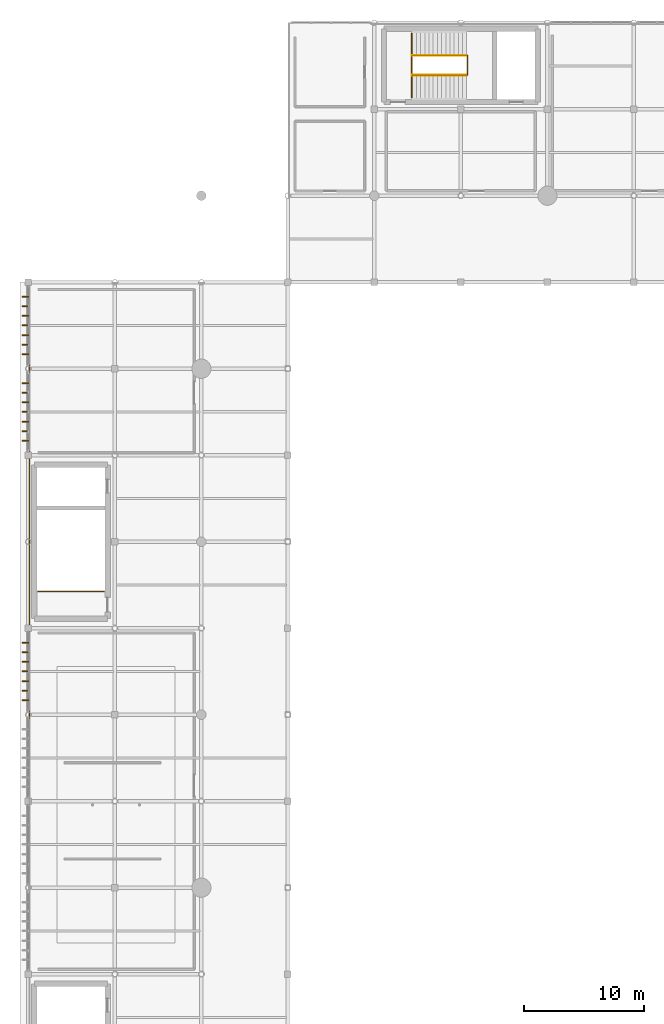
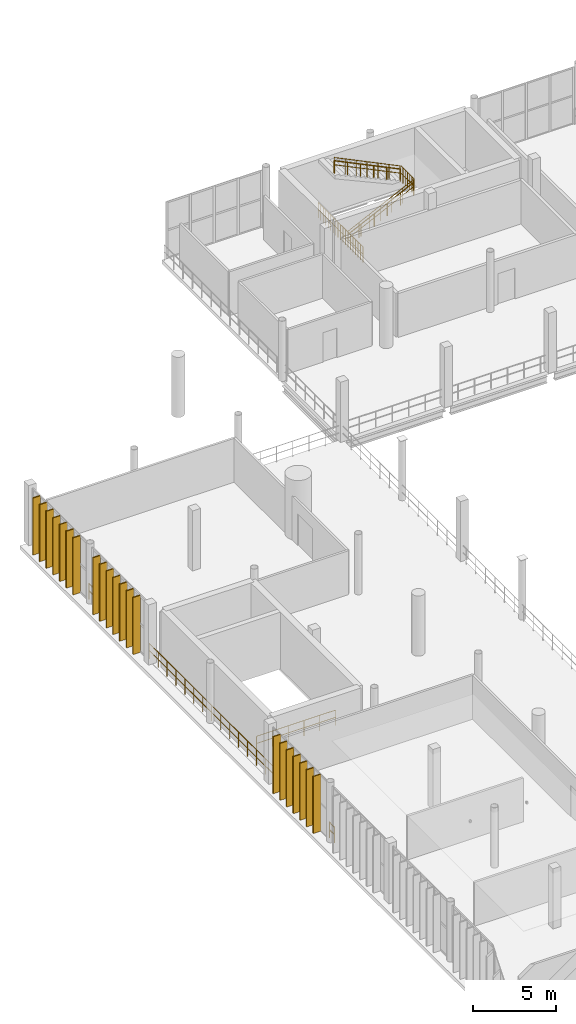
# One storey, part 75 of 81: 21 coverings, 10 railings.
"""IFC4 building model written with IfcOpenShell, lengths in metres."""

from ifc_helpers import new_model, si_unit, direction, frame, origin, origin_2d, place, context, subcontext, project, spatial, rectangle, circle, extrude, material, layer, layer_set, type_object, element, save


model = new_model("IFC4")

# Units and contexts
model_context = context("Model", 3, precision=1e-05, world=origin(), true_north=direction((0.0, 1.0)))
body_context = subcontext(model_context, "Body", "Model", "MODEL_VIEW")
ifc_project = project(units=[si_unit("LENGTHUNIT", "METRE"), si_unit("AREAUNIT", "SQUARE_METRE"), si_unit("VOLUMEUNIT", "CUBIC_METRE"), si_unit("PLANEANGLEUNIT", "RADIAN"), si_unit("MASSUNIT", "GRAM", prefix="KILO")], contexts=[model_context])

# Site, building, storey
site_placement = place(None, origin())
site = spatial("IfcSite", under=ifc_project, at=site_placement, CompositionType="ELEMENT")
building_placement = place(site_placement, origin())
building = spatial("IfcBuilding", under=site, at=building_placement, Name="Qandorah Velis Arena", CompositionType="ELEMENT")
storey_placement = place(building_placement, frame((0.0, 0.0, 18.60009765625)))
storey = spatial("IfcBuildingStorey", under=building, at=storey_placement, Name="L04", CompositionType="ELEMENT", Elevation=18.60009765625)

# Coverings
ifc_material_1 = material(Name="Champagne-bronze anodized aluminium 6063-T6", Category="aluminium")
ifc_layer = layer(ifc_material_1, 0.0849609375)
ifc_layer_set = layer_set([ifc_layer], Name="Champagne-bronze anodized aluminium 6063-T6")
covering_type = type_object("IfcCoveringType", Name="ARC-COV-FIN520", PredefinedType="CLADDING", material=ifc_layer_set)
for number, where, z_axis, x_axis, name in (
    (1, (-0.251953125, 73.199951171875, -0.010009765625), (0.0, 0.0, 1.0), (1.0, 0.0, 0.0), "Vertical champagne-bronze solar fin blade WNG-W-L04-10-001"),
    (2, (-0.251953125, 74.0, -0.010009765625), (0.0, 0.0, 1.0), (1.0, 0.0, 0.0), "Vertical champagne-bronze solar fin blade WNG-W-L04-10-002"),
    (3, (-0.251953125, 74.800048828125, -0.010009765625), (0.0, 0.0, 1.0), (1.0, 0.0, 0.0), "Vertical champagne-bronze solar fin blade WNG-W-L04-10-003"),
    (4, (-0.251953125, 75.60009765625, -0.010009765625), (0.0, 0.0, 1.0), (1.0, 0.0, 0.0), "Vertical champagne-bronze solar fin blade WNG-W-L04-10-004"),
    (5, (-0.251953125, 76.39990234375, -0.010009765625), (0.0, 0.0, 1.0), (1.0, 0.0, 0.0), "Vertical champagne-bronze solar fin blade WNG-W-L04-10-005"),
    (6, (-0.251953125, 77.199951171875, -0.010009765625), (0.0, 0.0, 1.0), (1.0, 0.0, 0.0), "Vertical champagne-bronze solar fin blade WNG-W-L04-10-006"),
    (7, (-0.251953125, 78.0, -0.010009765625), (0.0, 0.0, 1.0), (1.0, 0.0, 0.0), "Vertical champagne-bronze solar fin blade WNG-W-L04-10-007"),
    (8, (-0.251953125, 94.800048828125, -0.010009765625), (0.0, 0.0, 1.0), (1.0, 0.0, 0.0), "Vertical champagne-bronze solar fin blade WNG-W-L04-13-001"),
    (9, (-0.251953125, 95.60009765625, -0.010009765625), (0.0, 0.0, 1.0), (1.0, 0.0, 0.0), "Vertical champagne-bronze solar fin blade WNG-W-L04-13-002"),
    (10, (-0.251953125, 96.39990234375, -0.010009765625), (0.0, 0.0, 1.0), (1.0, 0.0, 0.0), "Vertical champagne-bronze solar fin blade WNG-W-L04-13-003"),
    (11, (-0.251953125, 97.199951171875, -0.010009765625), (0.0, 0.0, 1.0), (1.0, 0.0, 0.0), "Vertical champagne-bronze solar fin blade WNG-W-L04-13-004"),
    (12, (-0.251953125, 98.0, -0.010009765625), (0.0, 0.0, 1.0), (1.0, 0.0, 0.0), "Vertical champagne-bronze solar fin blade WNG-W-L04-13-005"),
    (13, (-0.251953125, 98.800048828125, -0.010009765625), (0.0, 0.0, 1.0), (1.0, 0.0, 0.0), "Vertical champagne-bronze solar fin blade WNG-W-L04-13-006"),
    (14, (-0.251953125, 99.60009765625, -0.010009765625), (0.0, 0.0, 1.0), (1.0, 0.0, 0.0), "Vertical champagne-bronze solar fin blade WNG-W-L04-13-007"),
    (15, (-0.251953125, 102.0, -0.010009765625), (0.0, 0.0, 1.0), (1.0, 0.0, 0.0), "Vertical champagne-bronze solar fin blade WNG-W-L04-14-001"),
    (16, (-0.251953125, 102.800048828125, -0.010009765625), (0.0, 0.0, 1.0), (1.0, 0.0, 0.0), "Vertical champagne-bronze solar fin blade WNG-W-L04-14-002"),
    (17, (-0.251953125, 103.60009765625, -0.010009765625), (0.0, 0.0, 1.0), (1.0, 0.0, 0.0), "Vertical champagne-bronze solar fin blade WNG-W-L04-14-003"),
    (18, (-0.251953125, 104.39990234375, -0.010009765625), (0.0, 0.0, 1.0), (1.0, 0.0, 0.0), "Vertical champagne-bronze solar fin blade WNG-W-L04-14-004"),
    (19, (-0.251953125, 105.199951171875, -0.010009765625), (0.0, 0.0, 1.0), (1.0, 0.0, 0.0), "Vertical champagne-bronze solar fin blade WNG-W-L04-14-005"),
    (20, (-0.251953125, 106.0, -0.010009765625), (0.0, 0.0, 1.0), (1.0, 0.0, 0.0), "Vertical champagne-bronze solar fin blade WNG-W-L04-14-006"),
    (21, (-0.251953125, 106.800048828125, -0.010009765625), (0.0, 0.0, 1.0), (1.0, 0.0, 0.0), "Vertical champagne-bronze solar fin blade WNG-W-L04-14-007"),
):
    element("IfcCovering", number, at=place(storey_placement, frame(where, z_axis=z_axis, x_axis=x_axis)), inside=storey, type_object=covering_type, Name=name, PredefinedType="CLADDING", context=body_context, shape_type="SweptSolid", body=[
        extrude(rectangle(XDim=0.52001953125, YDim=0.0849609375, at=origin_2d()), origin(), (0.0, 0.0, 1.0), 4.169921875),
    ])

# Railings
ifc_material_2 = material(Name="Stainless steel 316", Category="steel")
railing_type_1 = type_object("IfcRailingType", Name="ARC-RL-GRD1150", PredefinedType="GUARDRAIL", material=ifc_material_2)
railing_1_placement = place(storey_placement, frame((31.909912109375, 123.360107421875, 0.0)))
element("IfcRailing", 22, at=railing_1_placement, inside=storey, type_object=railing_type_1, Name="Stair ST3 landing well-slot guardrail L04", PredefinedType="GUARDRAIL", context=body_context, shape_type="SweptSolid", body=[
    extrude(circle(Radius=0.02392578125, at=origin_2d()), frame((0.0, 0.0, 1.1259765625), z_axis=(0.0, 1.0, 0.0), x_axis=(-1.0, 0.0, 0.0)), (0.0, 0.0, 1.0), 5.3798828125),
    extrude(circle(Radius=0.02392578125, at=origin_2d()), frame((0.0, 0.0, 0.597900390625), z_axis=(0.0, 1.0, 0.0), x_axis=(-1.0, 0.0, 0.0)), (0.0, 0.0, 1.0), 5.3798828125),
    extrude(circle(Radius=0.02099609375, at=origin_2d()), origin(), (0.0, 0.0, 1.0), 1.101806640625),
    extrude(circle(Radius=0.02099609375, at=origin_2d()), frame((0.0, 0.298828125, 0.0)), (0.0, 0.0, 1.0), 1.101806640625),
    extrude(circle(Radius=0.02099609375, at=origin_2d()), frame((0.0, 0.59765625, 0.0)), (0.0, 0.0, 1.0), 1.101806640625),
    extrude(circle(Radius=0.02099609375, at=origin_2d()), frame((0.0, 0.896728515625, 0.0)), (0.0, 0.0, 1.0), 1.101806640625),
    extrude(circle(Radius=0.02099609375, at=origin_2d()), frame((0.0, 1.195556640625, 0.0)), (0.0, 0.0, 1.0), 1.101806640625),
    extrude(circle(Radius=0.02099609375, at=origin_2d()), frame((0.0, 1.494384765625, 0.0)), (0.0, 0.0, 1.0), 1.101806640625),
    extrude(circle(Radius=0.02099609375, at=origin_2d()), frame((0.0, 1.793212890625, 0.0)), (0.0, 0.0, 1.0), 1.101806640625),
    extrude(circle(Radius=0.02099609375, at=origin_2d()), frame((0.0, 2.09228515625, 0.0)), (0.0, 0.0, 1.0), 1.101806640625),
    extrude(circle(Radius=0.02099609375, at=origin_2d()), frame((0.0, 2.39111328125, 0.0)), (0.0, 0.0, 1.0), 1.101806640625),
    extrude(circle(Radius=0.02099609375, at=origin_2d()), frame((0.0, 2.68994140625, 0.0)), (0.0, 0.0, 1.0), 1.101806640625),
    extrude(circle(Radius=0.02099609375, at=origin_2d()), frame((0.0, 2.98876953125, 0.0)), (0.0, 0.0, 1.0), 1.101806640625),
    extrude(circle(Radius=0.02099609375, at=origin_2d()), frame((0.0, 3.28759765625, 0.0)), (0.0, 0.0, 1.0), 1.101806640625),
    extrude(circle(Radius=0.02099609375, at=origin_2d()), frame((0.0, 3.586669921875, 0.0)), (0.0, 0.0, 1.0), 1.101806640625),
    extrude(circle(Radius=0.02099609375, at=origin_2d()), frame((0.0, 3.885498046875, 0.0)), (0.0, 0.0, 1.0), 1.101806640625),
    extrude(circle(Radius=0.02099609375, at=origin_2d()), frame((0.0, 4.184326171875, 0.0)), (0.0, 0.0, 1.0), 1.101806640625),
    extrude(circle(Radius=0.02099609375, at=origin_2d()), frame((0.0, 4.483154296875, 0.0)), (0.0, 0.0, 1.0), 1.101806640625),
    extrude(circle(Radius=0.02099609375, at=origin_2d()), frame((0.0, 4.7822265625, 0.0)), (0.0, 0.0, 1.0), 1.101806640625),
    extrude(circle(Radius=0.02099609375, at=origin_2d()), frame((0.0, 5.0810546875, 0.0)), (0.0, 0.0, 1.0), 1.101806640625),
    extrude(circle(Radius=0.02099609375, at=origin_2d()), frame((0.0, 5.3798828125, 0.0)), (0.0, 0.0, 1.0), 1.101806640625),
])
railing_2_placement = place(storey_placement, frame((36.5458984375, 125.239990234375, 2.199951171875)))
element("IfcRailing", 23, at=railing_2_placement, inside=storey, type_object=railing_type_1, Name="Stair ST3 well guardrail (L04)", PredefinedType="GUARDRAIL", context=body_context, shape_type="SweptSolid", body=[
    extrude(circle(Radius=0.02392578125, at=origin_2d()), frame((0.0, 0.0, 1.1259765625), z_axis=(0.0, 1.0, 0.0), x_axis=(-1.0, 0.0, 0.0)), (0.0, 0.0, 1.0), 1.6201171875),
    extrude(circle(Radius=0.02392578125, at=origin_2d()), frame((0.0, 0.0, 0.597900390625), z_axis=(0.0, 1.0, 0.0), x_axis=(-1.0, 0.0, 0.0)), (0.0, 0.0, 1.0), 1.6201171875),
    extrude(circle(Radius=0.02099609375, at=origin_2d()), origin(), (0.0, 0.0, 1.0), 1.101806640625),
    extrude(circle(Radius=0.02099609375, at=origin_2d()), frame((0.0, 0.27001953125, 0.0)), (0.0, 0.0, 1.0), 1.101806640625),
    extrude(circle(Radius=0.02099609375, at=origin_2d()), frame((0.0, 0.5400390625, 0.0)), (0.0, 0.0, 1.0), 1.101806640625),
    extrude(circle(Radius=0.02099609375, at=origin_2d()), frame((0.0, 0.81005859375, 0.0)), (0.0, 0.0, 1.0), 1.101806640625),
    extrude(circle(Radius=0.02099609375, at=origin_2d()), frame((0.0, 1.080078125, 0.0)), (0.0, 0.0, 1.0), 1.101806640625),
    extrude(circle(Radius=0.02099609375, at=origin_2d()), frame((0.0, 1.35009765625, 0.0)), (0.0, 0.0, 1.0), 1.101806640625),
    extrude(circle(Radius=0.02099609375, at=origin_2d()), frame((0.0, 1.6201171875, 0.0)), (0.0, 0.0, 1.0), 1.101806640625),
])
railing_3_placement = place(storey_placement, frame((31.949951171875, 125.22998046875, 0.0)))
element("IfcRailing", 24, at=railing_3_placement, inside=storey, type_object=railing_type_1, Name="Stair ST3 inner flight 1 guardrail (L04)", PredefinedType="GUARDRAIL", context=body_context, shape_type="SweptSolid", body=[
    extrude(circle(Radius=0.02392578125, at=origin_2d()), frame((0.0, 0.0, 1.1259765625), z_axis=(0.899766287272, 0.0, 0.436372121346), x_axis=(0.0, 1.0, 0.0)), (0.0, 0.0, 1.0), 5.04150390625),
    extrude(circle(Radius=0.02392578125, at=origin_2d()), frame((0.0, 0.0, 0.597900390625), z_axis=(0.899766287272, 0.0, 0.436372121346), x_axis=(0.0, 1.0, 0.0)), (0.0, 0.0, 1.0), 5.04150390625),
    extrude(circle(Radius=0.02099609375, at=origin_2d()), origin(), (0.0, 0.0, 1.0), 1.101806640625),
    extrude(circle(Radius=0.02099609375, at=origin_2d()), frame((0.756103515625, 0.0, 0.36669921875)), (0.0, 0.0, 1.0), 1.101806640625),
    extrude(circle(Radius=0.02099609375, at=origin_2d()), frame((1.511962890625, 0.0, 0.7333984375)), (0.0, 0.0, 1.0), 1.101806640625),
    extrude(circle(Radius=0.02099609375, at=origin_2d()), frame((2.26806640625, 0.0, 1.10009765625)), (0.0, 0.0, 1.0), 1.101806640625),
    extrude(circle(Radius=0.02099609375, at=origin_2d()), frame((3.024169921875, 0.0, 1.466552734375)), (0.0, 0.0, 1.0), 1.101806640625),
    extrude(circle(Radius=0.02099609375, at=origin_2d()), frame((3.780029296875, 0.0, 1.833251953125)), (0.0, 0.0, 1.0), 1.101806640625),
    extrude(circle(Radius=0.02099609375, at=origin_2d()), frame((4.5361328125, 0.0, 2.199951171875)), (0.0, 0.0, 1.0), 1.101806640625),
])
railing_4_placement = place(storey_placement, frame((36.486083984375, 126.8701171875, 2.199951171875)))
element("IfcRailing", 25, at=railing_4_placement, inside=storey, type_object=railing_type_1, Name="Stair ST3 inner flight 2 guardrail (L04)", PredefinedType="GUARDRAIL", context=body_context, shape_type="SweptSolid", body=[
    extrude(circle(Radius=0.02392578125, at=origin_2d()), frame((0.0, 0.0, 1.1259765625), z_axis=(-0.899766287272, 0.0, 0.436372121346), x_axis=(0.0, -1.0, 0.0)), (0.0, 0.0, 1.0), 5.04150390625),
    extrude(circle(Radius=0.02392578125, at=origin_2d()), frame((0.0, 0.0, 0.597900390625), z_axis=(-0.899766287272, 0.0, 0.436372121346), x_axis=(0.0, -1.0, 0.0)), (0.0, 0.0, 1.0), 5.04150390625),
    extrude(circle(Radius=0.02099609375, at=origin_2d()), origin(), (0.0, 0.0, 1.0), 1.101806640625),
    extrude(circle(Radius=0.02099609375, at=origin_2d()), frame((-0.756103515625, 0.0, 0.36669921875)), (0.0, 0.0, 1.0), 1.101806640625),
    extrude(circle(Radius=0.02099609375, at=origin_2d()), frame((-1.511962890625, 0.0, 0.7333984375)), (0.0, 0.0, 1.0), 1.101806640625),
    extrude(circle(Radius=0.02099609375, at=origin_2d()), frame((-2.26806640625, 0.0, 1.10009765625)), (0.0, 0.0, 1.0), 1.101806640625),
    extrude(circle(Radius=0.02099609375, at=origin_2d()), frame((-3.024169921875, 0.0, 1.466552734375)), (0.0, 0.0, 1.0), 1.101806640625),
    extrude(circle(Radius=0.02099609375, at=origin_2d()), frame((-3.780029296875, 0.0, 1.833251953125)), (0.0, 0.0, 1.0), 1.101806640625),
    extrude(circle(Radius=0.02099609375, at=origin_2d()), frame((-4.5361328125, 0.0, 2.199951171875)), (0.0, 0.0, 1.0), 1.101806640625),
])
railing_5_placement = place(storey_placement, frame((0.81005859375, 82.27001953125, 0.0)))
element("IfcRailing", 26, at=railing_5_placement, inside=storey, type_object=railing_type_1, Name="Stair ST6 top well guardrail L04", PredefinedType="GUARDRAIL", context=body_context, shape_type="SweptSolid", body=[
    extrude(circle(Radius=0.02392578125, at=origin_2d()), frame((0.0, 0.0, 1.1259765625), z_axis=(1.0, 0.0, 0.0), x_axis=(0.0, 1.0, 0.0)), (0.0, 0.0, 1.0), 5.47998046875),
    extrude(circle(Radius=0.02392578125, at=origin_2d()), frame((0.0, 0.0, 0.597900390625), z_axis=(1.0, 0.0, 0.0), x_axis=(0.0, 1.0, 0.0)), (0.0, 0.0, 1.0), 5.47998046875),
    extrude(circle(Radius=0.02099609375, at=origin_2d()), origin(), (0.0, 0.0, 1.0), 1.101806640625),
    extrude(circle(Radius=0.02099609375, at=origin_2d()), frame((1.095947265625, 0.0, 0.0)), (0.0, 0.0, 1.0), 1.101806640625),
    extrude(circle(Radius=0.02099609375, at=origin_2d()), frame((2.19189453125, 0.0, 0.0)), (0.0, 0.0, 1.0), 1.101806640625),
    extrude(circle(Radius=0.02099609375, at=origin_2d()), frame((3.2880859375, 0.0, 0.0)), (0.0, 0.0, 1.0), 1.101806640625),
    extrude(circle(Radius=0.02099609375, at=origin_2d()), frame((4.384033203125, 0.0, 0.0)), (0.0, 0.0, 1.0), 1.101806640625),
    extrude(circle(Radius=0.02099609375, at=origin_2d()), frame((5.47998046875, 0.0, 0.0)), (0.0, 0.0, 1.0), 1.101806640625),
])
railing_6_placement = place(storey_placement, frame((0.10009765625, 71.699951171875, 0.0)))
element("IfcRailing", 27, at=railing_6_placement, inside=storey, type_object=railing_type_1, Name="Slab edge safety guardrail L04-243", PredefinedType="GUARDRAIL", context=body_context, shape_type="SweptSolid", body=[
    extrude(circle(Radius=0.02392578125, at=origin_2d()), frame((0.0, 0.0, 1.1259765625), z_axis=(0.0, 1.0, 0.0), x_axis=(-1.0, 0.0, 0.0)), (0.0, 0.0, 1.0), 0.60009765625),
    extrude(circle(Radius=0.02392578125, at=origin_2d()), frame((0.0, 0.0, 0.597900390625), z_axis=(0.0, 1.0, 0.0), x_axis=(-1.0, 0.0, 0.0)), (0.0, 0.0, 1.0), 0.60009765625),
    extrude(circle(Radius=0.02099609375, at=origin_2d()), origin(), (0.0, 0.0, 1.0), 1.101806640625),
    extrude(circle(Radius=0.02099609375, at=origin_2d()), frame((0.0, 0.60009765625, 0.0)), (0.0, 0.0, 1.0), 1.101806640625),
])
railing_7_placement = place(storey_placement, frame((0.10009765625, 78.89990234375, 0.0)))
element("IfcRailing", 28, at=railing_7_placement, inside=storey, type_object=railing_type_1, Name="Slab edge safety guardrail L04-244", PredefinedType="GUARDRAIL", context=body_context, shape_type="SweptSolid", body=[
    extrude(circle(Radius=0.02392578125, at=origin_2d()), frame((0.0, 0.0, 1.1259765625), z_axis=(0.0, 1.0, 0.0), x_axis=(-1.0, 0.0, 0.0)), (0.0, 0.0, 1.0), 15.0),
    extrude(circle(Radius=0.02392578125, at=origin_2d()), frame((0.0, 0.0, 0.597900390625), z_axis=(0.0, 1.0, 0.0), x_axis=(-1.0, 0.0, 0.0)), (0.0, 0.0, 1.0), 15.0),
    extrude(circle(Radius=0.02099609375, at=origin_2d()), origin(), (0.0, 0.0, 1.0), 1.101806640625),
    extrude(circle(Radius=0.02099609375, at=origin_2d()), frame((0.0, 1.071533203125, 0.0)), (0.0, 0.0, 1.0), 1.101806640625),
    extrude(circle(Radius=0.02099609375, at=origin_2d()), frame((0.0, 2.142822265625, 0.0)), (0.0, 0.0, 1.0), 1.101806640625),
    extrude(circle(Radius=0.02099609375, at=origin_2d()), frame((0.0, 3.21435546875, 0.0)), (0.0, 0.0, 1.0), 1.101806640625),
    extrude(circle(Radius=0.02099609375, at=origin_2d()), frame((0.0, 4.28564453125, 0.0)), (0.0, 0.0, 1.0), 1.101806640625),
    extrude(circle(Radius=0.02099609375, at=origin_2d()), frame((0.0, 5.357177734375, 0.0)), (0.0, 0.0, 1.0), 1.101806640625),
    extrude(circle(Radius=0.02099609375, at=origin_2d()), frame((0.0, 6.428466796875, 0.0)), (0.0, 0.0, 1.0), 1.101806640625),
    extrude(circle(Radius=0.02099609375, at=origin_2d()), frame((0.0, 7.5, 0.0)), (0.0, 0.0, 1.0), 1.101806640625),
    extrude(circle(Radius=0.02099609375, at=origin_2d()), frame((0.0, 8.571533203125, 0.0)), (0.0, 0.0, 1.0), 1.101806640625),
    extrude(circle(Radius=0.02099609375, at=origin_2d()), frame((0.0, 9.642822265625, 0.0)), (0.0, 0.0, 1.0), 1.101806640625),
    extrude(circle(Radius=0.02099609375, at=origin_2d()), frame((0.0, 10.71435546875, 0.0)), (0.0, 0.0, 1.0), 1.101806640625),
    extrude(circle(Radius=0.02099609375, at=origin_2d()), frame((0.0, 11.78564453125, 0.0)), (0.0, 0.0, 1.0), 1.101806640625),
    extrude(circle(Radius=0.02099609375, at=origin_2d()), frame((0.0, 12.857177734375, 0.0)), (0.0, 0.0, 1.0), 1.101806640625),
    extrude(circle(Radius=0.02099609375, at=origin_2d()), frame((0.0, 13.928466796875, 0.0)), (0.0, 0.0, 1.0), 1.101806640625),
    extrude(circle(Radius=0.02099609375, at=origin_2d()), frame((0.0, 15.0, 0.0)), (0.0, 0.0, 1.0), 1.101806640625),
])
railing_8_placement = place(storey_placement, frame((0.10009765625, 100.5, 0.0)))
element("IfcRailing", 29, at=railing_8_placement, inside=storey, type_object=railing_type_1, Name="Slab edge safety guardrail L04-245", PredefinedType="GUARDRAIL", context=body_context, shape_type="SweptSolid", body=[
    extrude(circle(Radius=0.02392578125, at=origin_2d()), frame((0.0, 0.0, 1.1259765625), z_axis=(0.0, 1.0, 0.0), x_axis=(-1.0, 0.0, 0.0)), (0.0, 0.0, 1.0), 0.60009765625),
    extrude(circle(Radius=0.02392578125, at=origin_2d()), frame((0.0, 0.0, 0.597900390625), z_axis=(0.0, 1.0, 0.0), x_axis=(-1.0, 0.0, 0.0)), (0.0, 0.0, 1.0), 0.60009765625),
    extrude(circle(Radius=0.02099609375, at=origin_2d()), origin(), (0.0, 0.0, 1.0), 1.101806640625),
    extrude(circle(Radius=0.02099609375, at=origin_2d()), frame((0.0, 0.60009765625, 0.0)), (0.0, 0.0, 1.0), 1.101806640625),
])
railing_type_2 = type_object("IfcRailingType", Name="ARC-RL-HND920", PredefinedType="HANDRAIL", material=ifc_material_2)
railing_9_placement = place(storey_placement, frame((31.949951171875, 125.22998046875, 0.0)))
element("IfcRailing", 30, at=railing_9_placement, inside=storey, type_object=railing_type_2, Name="Stair ST3 inner handrail 1 (L04)", PredefinedType="HANDRAIL", context=body_context, shape_type="SweptSolid", body=[
    extrude(circle(Radius=0.02392578125, at=origin_2d()), frame((0.0, 0.0, 0.89599609375), z_axis=(0.899766287272, 0.0, 0.436372121346), x_axis=(0.0, 1.0, 0.0)), (0.0, 0.0, 1.0), 5.04150390625),
    extrude(circle(Radius=0.02099609375, at=origin_2d()), origin(), (0.0, 0.0, 1.0), 0.871826171875),
    extrude(circle(Radius=0.02099609375, at=origin_2d()), frame((0.9072265625, 0.0, 0.43994140625)), (0.0, 0.0, 1.0), 0.871826171875),
    extrude(circle(Radius=0.02099609375, at=origin_2d()), frame((1.814453125, 0.0, 0.8798828125)), (0.0, 0.0, 1.0), 0.871826171875),
    extrude(circle(Radius=0.02099609375, at=origin_2d()), frame((2.7216796875, 0.0, 1.320068359375)), (0.0, 0.0, 1.0), 0.871826171875),
    extrude(circle(Radius=0.02099609375, at=origin_2d()), frame((3.62890625, 0.0, 1.760009765625)), (0.0, 0.0, 1.0), 0.871826171875),
    extrude(circle(Radius=0.02099609375, at=origin_2d()), frame((4.5361328125, 0.0, 2.199951171875)), (0.0, 0.0, 1.0), 0.871826171875),
])
railing_10_placement = place(storey_placement, frame((36.486083984375, 126.8701171875, 2.199951171875)))
element("IfcRailing", 31, at=railing_10_placement, inside=storey, type_object=railing_type_2, Name="Stair ST3 inner handrail 2 (L04)", PredefinedType="HANDRAIL", context=body_context, shape_type="SweptSolid", body=[
    extrude(circle(Radius=0.02392578125, at=origin_2d()), frame((0.0, 0.0, 0.89599609375), z_axis=(-0.899766287272, 0.0, 0.436372121346), x_axis=(0.0, -1.0, 0.0)), (0.0, 0.0, 1.0), 5.04150390625),
    extrude(circle(Radius=0.02099609375, at=origin_2d()), origin(), (0.0, 0.0, 1.0), 0.871826171875),
    extrude(circle(Radius=0.02099609375, at=origin_2d()), frame((-0.9072265625, 0.0, 0.43994140625)), (0.0, 0.0, 1.0), 0.871826171875),
    extrude(circle(Radius=0.02099609375, at=origin_2d()), frame((-1.814453125, 0.0, 0.8798828125)), (0.0, 0.0, 1.0), 0.871826171875),
    extrude(circle(Radius=0.02099609375, at=origin_2d()), frame((-2.7216796875, 0.0, 1.320068359375)), (0.0, 0.0, 1.0), 0.871826171875),
    extrude(circle(Radius=0.02099609375, at=origin_2d()), frame((-3.62890625, 0.0, 1.760009765625)), (0.0, 0.0, 1.0), 0.871826171875),
    extrude(circle(Radius=0.02099609375, at=origin_2d()), frame((-4.5361328125, 0.0, 2.199951171875)), (0.0, 0.0, 1.0), 0.871826171875),
])

save(model, "model.ifc")
